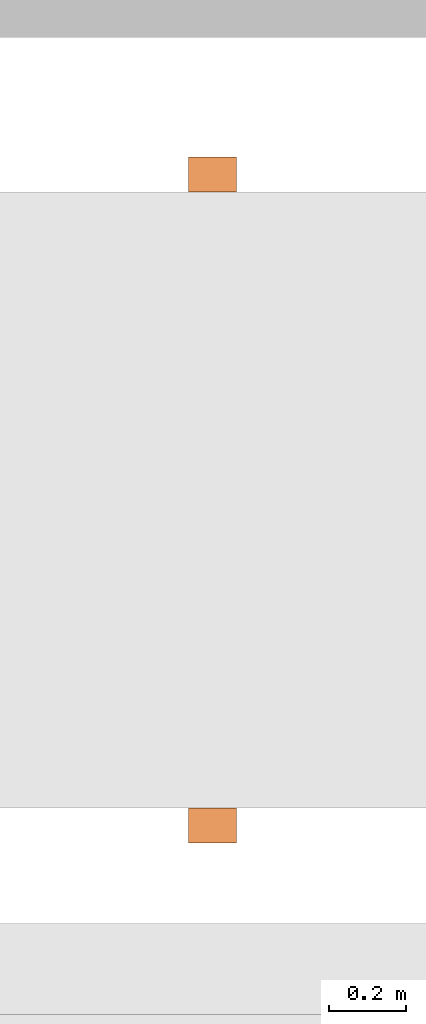
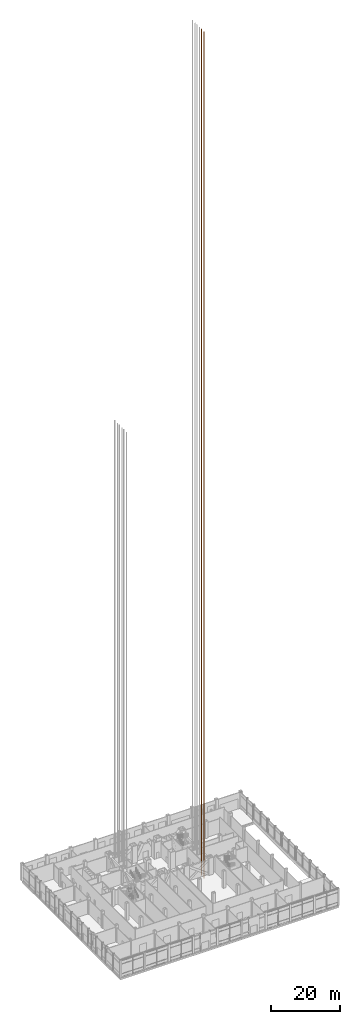
# One storey, part 33 of 35: 1 proxy.
"""IFC4 building model written with IfcOpenShell, lengths in metres."""

from ifc_helpers import new_model, si_unit, direction, frame, origin, origin_2d, place, context, subcontext, project, spatial, rectangle, extrude, material, element, save


model = new_model("IFC4")

# Units and contexts
model_context = context("Model", 3, precision=1e-05, world=origin(), true_north=direction((0.0, 1.0)))
body_context = subcontext(model_context, "Body", "Model", "MODEL_VIEW")
ifc_project = project(units=[si_unit("LENGTHUNIT", "METRE"), si_unit("AREAUNIT", "SQUARE_METRE"), si_unit("VOLUMEUNIT", "CUBIC_METRE"), si_unit("PLANEANGLEUNIT", "RADIAN"), si_unit("MASSUNIT", "GRAM", prefix="KILO")], contexts=[model_context])

# Site, building, storey
site_placement = place(None, origin())
site = spatial("IfcSite", under=ifc_project, at=site_placement, CompositionType="ELEMENT")
building_placement = place(site_placement, origin())
building = spatial("IfcBuilding", under=site, at=building_placement, Name="Kopane Lantern Tower", CompositionType="ELEMENT")
storey_placement = place(building_placement, origin())
storey = spatial("IfcBuildingStorey", under=building, at=storey_placement, Name="L00", CompositionType="ELEMENT", Elevation=0.0)

# Proxy
ifc_material = material(Name="Steel S355JR", Category="steel")
proxy_placement = place(storey_placement, frame((38.949951171875, 25.75, -1.5), z_axis=(0.0, 0.0, 1.0), x_axis=(1.0, 0.0, 0.0)))
element("IfcBuildingElementProxy", 1, at=proxy_placement, inside=storey, material=ifc_material, Name="Lift guide rail frame LR1", ObjectType="LIFT GUIDE RAIL FRAME", PredefinedType="USERDEFINED", context=body_context, shape_type="SweptSolid", body=[
    extrude(rectangle(XDim=0.125, YDim=0.090087890625, at=origin_2d()), frame((0.0, -0.844970703125, 0.0)), (0.0, 0.0, 1.0), 298.60009765625),
    extrude(rectangle(XDim=0.125, YDim=0.090087890625, at=origin_2d()), frame((0.0, 0.844970703125, 0.0)), (0.0, 0.0, 1.0), 298.60009765625),
])

save(model, "model.ifc")
